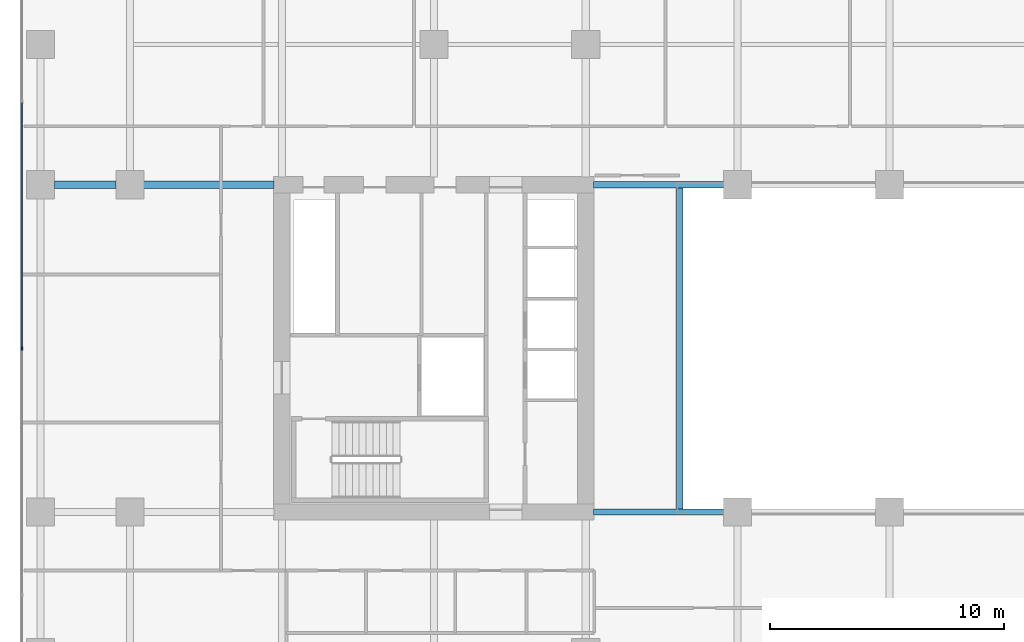
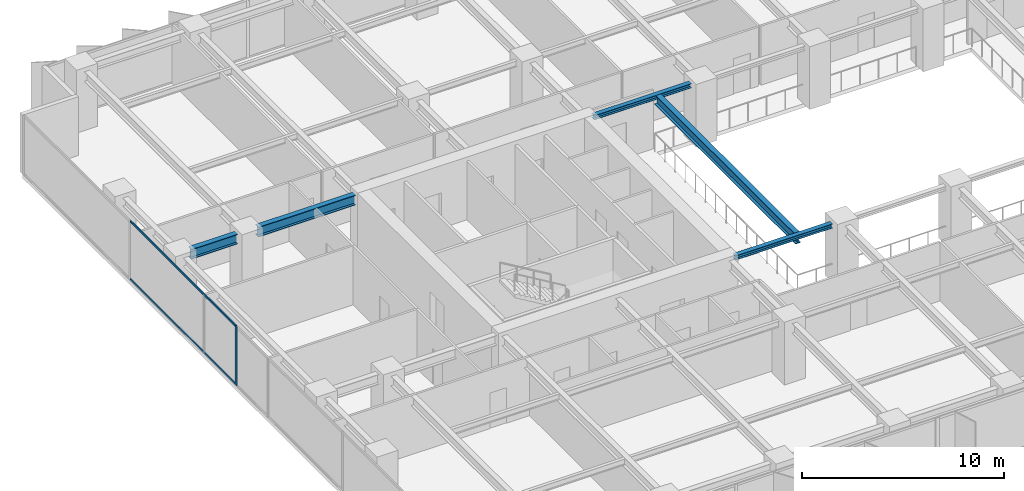
# One storey, part 4 of 20: 5 beams, 3 members, 1 element without a shape of its own.
"""IFC4 building model written with IfcOpenShell, lengths in metres."""

import ifcopenshell
import ifcopenshell.guid

model = None  # the IFC model being written
_history = None  # IfcOwnerHistory: only IFC2X3 demands one
_inside = {}  # id of a spatial element -> (the spatial element, [elements in it])
_under = {}  # id of a project, library or spatial element -> (it, [spatial elements below it])
_declared = {}  # id of a project -> (the project, [libraries it declares])
_typed = {}  # id of a type object -> (the type object, [elements of that type])
_made_of = {}  # id of a material, layer set ... -> (it, [elements and type objects made of it])


def new_model(schema):
    """Start an empty IFC model of exactly this schema.

    Asked for "IFC4X3", IfcOpenShell would pick the latest addendum, in which some entities
    have other attributes; the version numbers below select the first issue.
    IFC2X3 requires an IfcOwnerHistory on every rooted entity: one is made here for all.
    """
    global model, _history
    if schema == "IFC4X3":
        model = ifcopenshell.file(schema_version=(4, 3, 0, 0))
    else:
        model = ifcopenshell.file(schema=schema)
    _inside.clear()
    _under.clear()
    _declared.clear()
    _typed.clear()
    _made_of.clear()
    _history = None
    if model.schema == "IFC2X3":
        org = make("IfcOrganization", Name="unknown")
        user = make(
            "IfcPersonAndOrganization",
            ThePerson=make("IfcPerson", FamilyName="unknown"),
            TheOrganization=org,
        )
        app = make(
            "IfcApplication",
            ApplicationDeveloper=org,
            Version="unknown",
            ApplicationFullName="unknown",
            ApplicationIdentifier="unknown",
        )
        _history = make(
            "IfcOwnerHistory",
            OwningUser=user,
            OwningApplication=app,
            ChangeAction="ADDED",
            CreationDate=0,
        )
    return model


def make(cls, **values):
    """One entity of the class cls with the attributes given. An attribute that is None is left unset."""
    return model.create_entity(
        cls, **{name: value for name, value in values.items() if value is not None}
    )


def rooted(cls, **values):
    """An entity with a GlobalId (a new one), such as an element, a storey or a relation."""
    return make(cls, GlobalId=ifcopenshell.guid.new(), OwnerHistory=_history, **values)


def si_unit(unit_type, name, prefix=None):
    """IfcSIUnit, for example si_unit("LENGTHUNIT", "METRE", prefix="MILLI")."""
    return make("IfcSIUnit", UnitType=unit_type, Prefix=prefix, Name=name)


def assignment(units):
    """IfcUnitAssignment: the units of a project."""
    return None if units is None else make("IfcUnitAssignment", Units=units)


def point(xyz):
    """IfcCartesianPoint."""
    return None if xyz is None else make("IfcCartesianPoint", Coordinates=xyz)


def direction(xyz):
    """IfcDirection."""
    return None if xyz is None else make("IfcDirection", DirectionRatios=xyz)


def frame(location, z_axis=None, x_axis=None):
    """IfcAxis2Placement3D, a coordinate frame: its origin and axes. An axis left out is left unset."""
    return make(
        "IfcAxis2Placement3D",
        Location=point(location),
        Axis=direction(z_axis),
        RefDirection=direction(x_axis),
    )


def frame_2d(location, x_axis=None):
    """IfcAxis2Placement2D, a coordinate frame in the plane: its origin and x axis."""
    return make(
        "IfcAxis2Placement2D", Location=point(location), RefDirection=direction(x_axis)
    )


def origin():
    """The frame at (0, 0, 0) with its axes left unset."""
    return frame((0.0, 0.0, 0.0))


def origin_2d():
    """The frame at (0, 0) in the plane with its x axis left unset."""
    return frame_2d((0.0, 0.0))


def place(relative_to, where):
    """IfcLocalPlacement: puts the frame where relative to a parent placement (None: the world)."""
    return make(
        "IfcLocalPlacement", PlacementRelTo=relative_to, RelativePlacement=where
    )


def context(
    kind, dimensions, precision=None, world=None, true_north=None, identifier=None
):
    """IfcGeometricRepresentationContext, for example the 3D "Model" context."""
    return make(
        "IfcGeometricRepresentationContext",
        ContextIdentifier=identifier,
        ContextType=kind,
        CoordinateSpaceDimension=dimensions,
        Precision=precision,
        WorldCoordinateSystem=world,
        TrueNorth=true_north,
    )


def subcontext(parent, identifier, kind, view, scale=None):
    """IfcGeometricRepresentationSubContext, for example "Body" below "Model"."""
    return make(
        "IfcGeometricRepresentationSubContext",
        ContextIdentifier=identifier,
        ContextType=kind,
        ParentContext=parent,
        TargetScale=scale,
        TargetView=view,
    )


def project(units=None, contexts=None):
    """IfcProject with its units and contexts."""
    return rooted(
        "IfcProject",
        Name="project",
        RepresentationContexts=contexts,
        UnitsInContext=assignment(units),
    )


def spatial(cls, under=None, at=None, **own):
    """A site, building, storey or space (cls), placed at a placement, below another one or the project."""
    s = rooted(cls, ObjectPlacement=at, **own)
    if under is not None:
        _under.setdefault(under.id(), (under, []))[1].append(s)
    return s


def profile(cls, at=None, kind="AREA", **sizes):
    """A parametric profile (cls). Its sizes go by their IFC names, for example OverallWidth=200.0."""
    return make(cls, ProfileType=kind, Position=at, **sizes)


def rectangle(**sizes):
    """IfcRectangleProfileDef."""
    return profile("IfcRectangleProfileDef", **sizes)


def i_section(**sizes):
    """IfcIShapeProfileDef."""
    return profile("IfcIShapeProfileDef", **sizes)


def extrude(swept, where, along, depth):
    """IfcExtrudedAreaSolid: the profile swept, set in the frame where, extruded along a direction by depth."""
    return make(
        "IfcExtrudedAreaSolid",
        SweptArea=swept,
        Position=where,
        ExtrudedDirection=direction(along),
        Depth=depth,
    )


def shape(context_of_items, identifier, shape_type, items):
    """IfcShapeRepresentation: the items that make up one representation, for example the "Body"."""
    return make(
        "IfcShapeRepresentation",
        ContextOfItems=context_of_items,
        RepresentationIdentifier=identifier,
        RepresentationType=shape_type,
        Items=items,
    )


def material(Name=None, Category=None):
    """IfcMaterial."""
    return make("IfcMaterial", Name=Name, Category=Category)


def layer(
    of_material, thickness, ventilated=None, Name=None, Category=None, Priority=None
):
    """IfcMaterialLayer: one layer of a wall or slab, of a material (None: an air gap)."""
    return make(
        "IfcMaterialLayer",
        Material=of_material,
        LayerThickness=thickness,
        IsVentilated=ventilated,
        Name=Name,
        Category=Category,
        Priority=Priority,
    )


def layer_set(layers, Name=None):
    """IfcMaterialLayerSet."""
    return make("IfcMaterialLayerSet", MaterialLayers=layers, LayerSetName=Name)


def material_profile(
    of_material, cross_section, Name=None, Category=None, Priority=None
):
    """IfcMaterialProfile: a cross section and its material."""
    return make(
        "IfcMaterialProfile",
        Name=Name,
        Material=of_material,
        Profile=cross_section,
        Priority=Priority,
        Category=Category,
    )


def profile_set(profiles, Name=None, composite=None):
    """IfcMaterialProfileSet."""
    return make(
        "IfcMaterialProfileSet",
        Name=Name,
        MaterialProfiles=profiles,
        CompositeProfile=composite,
    )


def made_of(thing, what):
    """Note that an element or type object is made of a material, layer set ...; save() writes the relation."""
    if what is not None:
        _made_of.setdefault(what.id(), (what, []))[1].append(thing)
    return thing


def type_object(cls, material=None, **own):
    """A type object (cls), such as IfcWallType, which elements share."""
    return made_of(rooted(cls, **own), material)


def element(
    cls,
    number,
    at=None,
    inside=None,
    cuts=None,
    type_object=None,
    material=None,
    context=None,
    identifier="Body",
    shape_type=None,
    held_by="IfcProductDefinitionShape",
    body=None,
    shapes=None,
    **own,
):
    """One element of the class cls, such as IfcWall. Its Tag is "e" and its number.

    at: its placement. inside: the storey or other place that contains it. cuts: it is an
    opening in that element (IfcRelVoidsElement). A single representation is given by context,
    identifier, shape_type and body (its items); several are given by shapes. held_by: the class
    of the entity that holds the representations. save() writes the other relations.
    """
    e = rooted(cls, Tag="e%d" % number, ObjectPlacement=at, **own)
    if body is not None:
        shapes = [shape(context, identifier, shape_type, body)]
    if shapes is not None:
        e.Representation = make(held_by, Representations=shapes)
    if inside is not None:
        _inside.setdefault(inside.id(), (inside, []))[1].append(e)
    if cuts is not None:
        rooted(
            "IfcRelVoidsElement", RelatingBuildingElement=cuts, RelatedOpeningElement=e
        )
    if type_object is not None:
        _typed.setdefault(type_object.id(), (type_object, []))[1].append(e)
    return made_of(e, material)


def aggregate(whole, parts):
    """IfcRelAggregates: a whole, such as a stair, and the parts it consists of."""
    return rooted("IfcRelAggregates", RelatingObject=whole, RelatedObjects=parts)


def save(model, path):
    """Write the relations noted so far, then the file.

    IfcRelAggregates (storeys below a building ...), IfcRelContainedInSpatialStructure (elements
    in a storey), IfcRelDefinesByType, IfcRelAssociatesMaterial and IfcRelDeclares: one each for
    every whole, place, type object, material and project.
    """
    for whole, parts in _under.values():
        aggregate(whole, parts)
    for where, things in _inside.values():
        rooted(
            "IfcRelContainedInSpatialStructure",
            RelatedElements=things,
            RelatingStructure=where,
        )
    for kind, things in _typed.values():
        rooted("IfcRelDefinesByType", RelatedObjects=things, RelatingType=kind)
    for what, things in _made_of.values():
        rooted("IfcRelAssociatesMaterial", RelatedObjects=things, RelatingMaterial=what)
    for by, libraries in _declared.values():
        rooted("IfcRelDeclares", RelatingContext=by, RelatedDefinitions=libraries)
    model.write(path)


model = new_model("IFC4")

# Units and contexts
model_context = context("Model", 3, precision=1e-05, world=origin(), true_north=direction((0.0, 1.0)))
body_context = subcontext(model_context, "Body", "Model", "MODEL_VIEW")
ifc_project = project(units=[si_unit("LENGTHUNIT", "METRE"), si_unit("AREAUNIT", "SQUARE_METRE"), si_unit("VOLUMEUNIT", "CUBIC_METRE"), si_unit("PLANEANGLEUNIT", "RADIAN"), si_unit("MASSUNIT", "GRAM", prefix="KILO")], contexts=[model_context])

# Site, building, storey
site_placement = place(None, origin())
site = spatial("IfcSite", under=ifc_project, at=site_placement, CompositionType="ELEMENT")
building_placement = place(site_placement, origin())
building = spatial("IfcBuilding", under=site, at=building_placement, Name="Putna Gate Headquarters", CompositionType="ELEMENT")
storey_placement = place(building_placement, frame((0.0, 0.0, 124.0)))
storey = spatial("IfcBuildingStorey", under=building, at=storey_placement, Name="L30", CompositionType="ELEMENT", Elevation=124.0)

# Beams
ifc_material_1 = material(Name="Steel S355J2", Category="steel")
ifc_material_profile_1 = material_profile(ifc_material_1, i_section(OverallWidth=0.260009765625, OverallDepth=0.260009765625, WebThickness=0.010009765625, FlangeThickness=0.017578125, at=origin_2d()), Name="Steel S355J2")
ifc_profile_set_1 = profile_set([ifc_material_profile_1], Name="Steel S355J2")
beam_type_1 = type_object("IfcBeamType", Name="BM-ATRIUM-HEB260", PredefinedType="BEAM", material=ifc_profile_set_1)
for number, where, z_axis, x_axis, name in (
    (1, (26.3349609375, 19.0, 3.43505859375), (1.0, 0.0, 0.0), (0.0, 1.0, 0.0), "L30 Atrium Edge Beam AS1"),
    (2, (26.3349609375, 33.0, 3.43505859375), (1.0, 0.0, 0.0), (0.0, 1.0, 0.0), "L30 Atrium Edge Beam AN1"),
):
    element("IfcBeam", number, at=place(storey_placement, frame(where, z_axis=z_axis, x_axis=x_axis)), inside=storey, type_object=beam_type_1, Name=name, PredefinedType="BEAM", context=body_context, shape_type="SweptSolid", body=[
        extrude(i_section(OverallWidth=0.260009765625, OverallDepth=0.260009765625, WebThickness=0.010009765625, FlangeThickness=0.017578125, at=origin_2d()), origin(), (0.0, 0.0, 1.0), 5.5771484375),
    ])
ifc_material_profile_2 = material_profile(ifc_material_1, i_section(OverallWidth=0.300048828125, OverallDepth=0.60009765625, WebThickness=0.015380859375, FlangeThickness=0.030029296875, at=origin_2d()), Name="Steel S355J2")
ifc_profile_set_2 = profile_set([ifc_material_profile_2], Name="Steel S355J2")
beam_type_2 = type_object("IfcBeamType", Name="BM-GIRD-Z2-HEB600", PredefinedType="USERDEFINED", material=ifc_profile_set_2)
beam_1_placement = place(storey_placement, frame((3.26806640625, 33.0, 3.264892578125), z_axis=(1.0, 0.0, 0.0), x_axis=(0.0, 1.0, 0.0)))
element("IfcBeam", 3, at=beam_1_placement, inside=storey, type_object=beam_type_2, Name="L30 West Wing Girder Y33-1", ObjectType="GIRDER", PredefinedType="USERDEFINED", context=body_context, shape_type="SweptSolid", body=[
    extrude(i_section(OverallWidth=0.300048828125, OverallDepth=0.60009765625, WebThickness=0.015380859375, FlangeThickness=0.030029296875, at=origin_2d()), origin(), (0.0, 0.0, 1.0), 2.64404296875),
])
beam_2_placement = place(storey_placement, frame((7.087890625, 33.0, 3.264892578125), z_axis=(1.0, 0.0, 0.0), x_axis=(0.0, 1.0, 0.0)))
element("IfcBeam", 4, at=beam_2_placement, inside=storey, type_object=beam_type_2, Name="L30 West Wing Girder Y33-2", ObjectType="GIRDER", PredefinedType="USERDEFINED", context=body_context, shape_type="SweptSolid", body=[
    extrude(i_section(OverallWidth=0.300048828125, OverallDepth=0.60009765625, WebThickness=0.015380859375, FlangeThickness=0.030029296875, at=origin_2d()), origin(), (0.0, 0.0, 1.0), 5.5771484375),
])
beam_3_placement = place(storey_placement, frame((30.0, 19.010009765625, 3.264892578125), z_axis=(0.0, 1.0, 0.0), x_axis=(-1.0, 0.0, 0.0)))
element("IfcBeam", 5, at=beam_3_placement, inside=storey, type_object=beam_type_2, Name="L30 Atrium Trim Girder AW", ObjectType="GIRDER", PredefinedType="USERDEFINED", context=body_context, shape_type="SweptSolid", body=[
    extrude(i_section(OverallWidth=0.300048828125, OverallDepth=0.60009765625, WebThickness=0.015380859375, FlangeThickness=0.030029296875, at=origin_2d()), origin(), (0.0, 0.0, 1.0), 13.97998046875),
])

# Curtain wall, members
ifc_material_2 = material(Name="Anodised bronze aluminium curtain wall", Category="aluminium")
ifc_layer = layer(ifc_material_2, 0.159912109375)
ifc_layer_set = layer_set([ifc_layer], Name="Anodised bronze aluminium curtain wall")
curtain_wall_type = type_object("IfcCurtainWallType", Name="CW-SYS-Z2", PredefinedType="USERDEFINED", material=ifc_layer_set)
curtain_wall_placement = place(storey_placement, origin())
curtain_wall = element("IfcCurtainWall", 6, at=curtain_wall_placement, inside=storey, type_object=curtain_wall_type, Name="L30 West Curtain Wall", ObjectType="STICK CURTAIN WALL", PredefinedType="USERDEFINED")
ifc_material_3 = material(Name="Anodised bronze aluminium EN AW-6060", Category="aluminium")
ifc_material_profile_3 = material_profile(ifc_material_3, rectangle(XDim=0.06494140625, YDim=0.159912109375, at=origin_2d()), Name="Anodised bronze aluminium EN AW-6060")
ifc_profile_set_3 = profile_set([ifc_material_profile_3], Name="Anodised bronze aluminium EN AW-6060")
member_type_1 = type_object("IfcMemberType", Name="MULL-CWM-2", PredefinedType="MULLION", material=ifc_profile_set_3)
member_1_placement = place(storey_placement, frame((1.8798828125, 26.0, 0.0), z_axis=(0.0, 0.0, 1.0), x_axis=(-1.0, 0.0, 0.0)))
member_1 = element("IfcMember", 7, at=member_1_placement, type_object=member_type_1, Name="CWS-2 mullion 3", PredefinedType="MULLION", context=body_context, shape_type="SweptSolid", body=[
    extrude(rectangle(XDim=0.06494140625, YDim=0.159912109375, at=origin_2d()), origin(), (0.0, 0.0, 1.0), 3.56494140625),
])
ifc_material_profile_4 = material_profile(ifc_material_3, rectangle(XDim=0.06494140625, YDim=0.1201171875, at=origin_2d()), Name="Anodised bronze aluminium EN AW-6060")
ifc_profile_set_4 = profile_set([ifc_material_profile_4], Name="Anodised bronze aluminium EN AW-6060")
member_type_2 = type_object("IfcMemberType", Name="TRAN-CWT-2", PredefinedType="USERDEFINED", material=ifc_profile_set_4)
member_2_placement = place(storey_placement, frame((1.8798828125, 26.032470703125, 0.032470703125), z_axis=(0.0, 1.0, 0.0), x_axis=(-1.0, 0.0, 0.0)))
member_2 = element("IfcMember", 8, at=member_2_placement, type_object=member_type_2, Name="CWS-2 transom 3.1", ObjectType="TRANSOM", PredefinedType="USERDEFINED", context=body_context, shape_type="SweptSolid", body=[
    extrude(rectangle(XDim=0.06494140625, YDim=0.1201171875, at=origin_2d()), origin(), (0.0, 0.0, 1.0), 10.485107421875),
])
member_3_placement = place(storey_placement, frame((1.8798828125, 26.032470703125, 3.532470703125), z_axis=(0.0, 1.0, 0.0), x_axis=(-1.0, 0.0, 0.0)))
member_3 = element("IfcMember", 9, at=member_3_placement, type_object=member_type_2, Name="CWS-2 transom 3.2", ObjectType="TRANSOM", PredefinedType="USERDEFINED", context=body_context, shape_type="SweptSolid", body=[
    extrude(rectangle(XDim=0.06494140625, YDim=0.1201171875, at=origin_2d()), origin(), (0.0, 0.0, 1.0), 10.485107421875),
])
aggregate(curtain_wall, [member_1, member_2, member_3])

save(model, "model.ifc")
